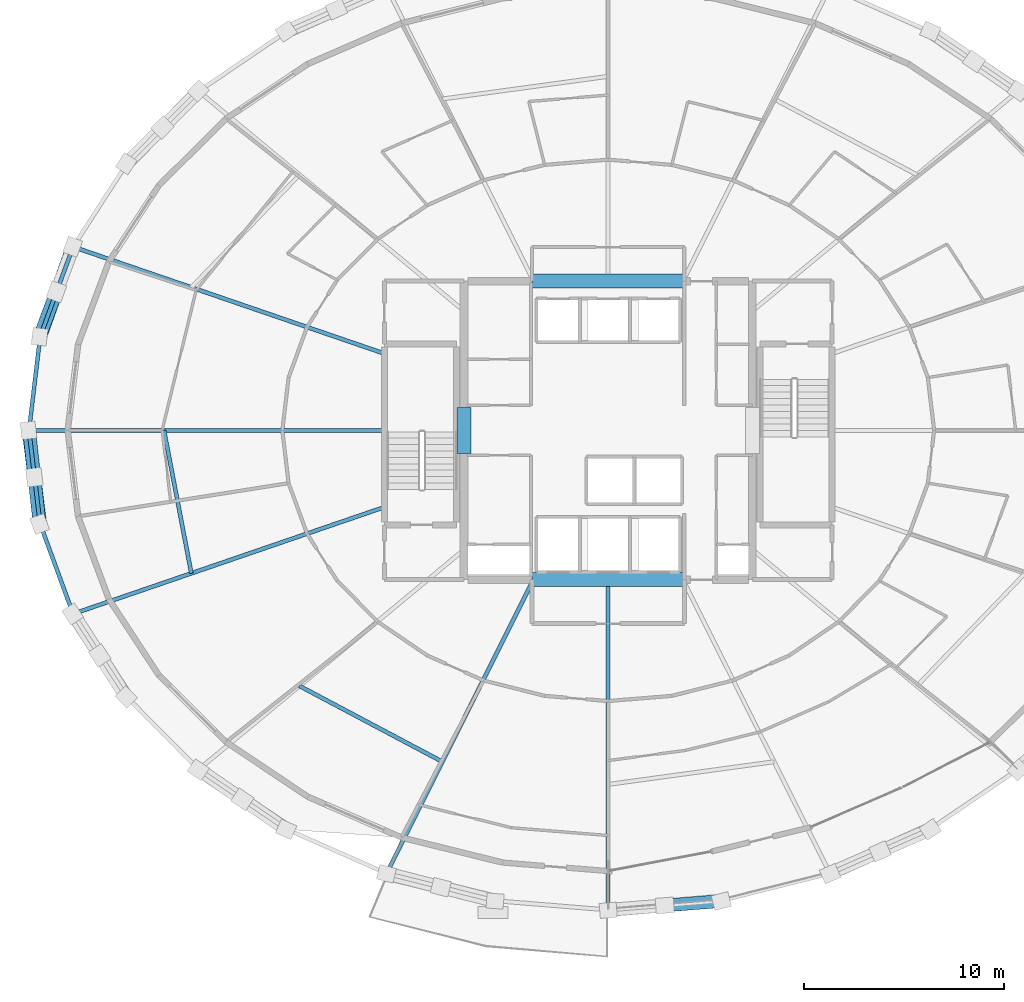
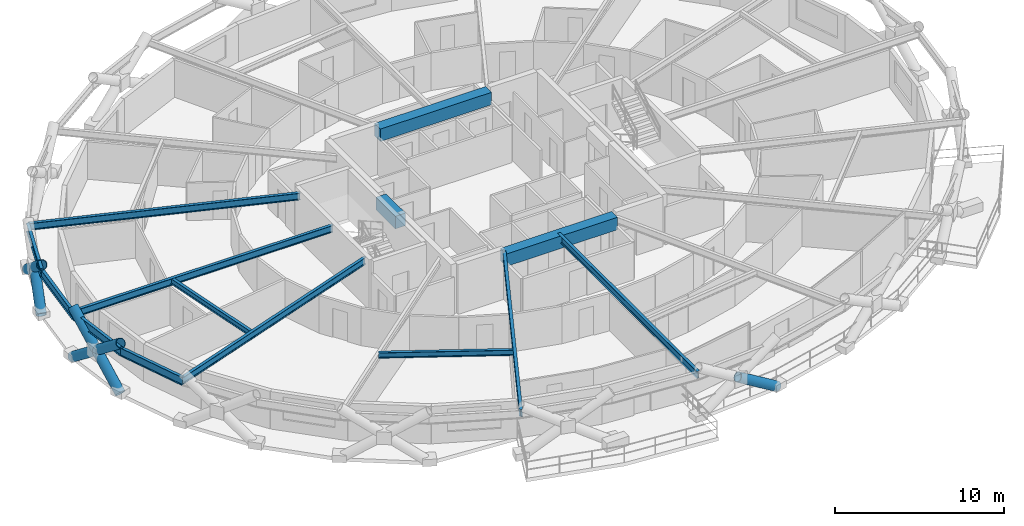
# One storey, part 3 of 14: 14 beams, 6 members.
"""IFC4 building model written with IfcOpenShell, lengths in metres."""

import ifcopenshell
import ifcopenshell.guid

model = None  # the IFC model being written
_history = None  # IfcOwnerHistory: only IFC2X3 demands one
_inside = {}  # id of a spatial element -> (the spatial element, [elements in it])
_under = {}  # id of a project, library or spatial element -> (it, [spatial elements below it])
_declared = {}  # id of a project -> (the project, [libraries it declares])
_typed = {}  # id of a type object -> (the type object, [elements of that type])
_made_of = {}  # id of a material, layer set ... -> (it, [elements and type objects made of it])


def new_model(schema):
    """Start an empty IFC model of exactly this schema.

    Asked for "IFC4X3", IfcOpenShell would pick the latest addendum, in which some entities
    have other attributes; the version numbers below select the first issue.
    IFC2X3 requires an IfcOwnerHistory on every rooted entity: one is made here for all.
    """
    global model, _history
    if schema == "IFC4X3":
        model = ifcopenshell.file(schema_version=(4, 3, 0, 0))
    else:
        model = ifcopenshell.file(schema=schema)
    _inside.clear()
    _under.clear()
    _declared.clear()
    _typed.clear()
    _made_of.clear()
    _history = None
    if model.schema == "IFC2X3":
        org = make("IfcOrganization", Name="unknown")
        user = make(
            "IfcPersonAndOrganization",
            ThePerson=make("IfcPerson", FamilyName="unknown"),
            TheOrganization=org,
        )
        app = make(
            "IfcApplication",
            ApplicationDeveloper=org,
            Version="unknown",
            ApplicationFullName="unknown",
            ApplicationIdentifier="unknown",
        )
        _history = make(
            "IfcOwnerHistory",
            OwningUser=user,
            OwningApplication=app,
            ChangeAction="ADDED",
            CreationDate=0,
        )
    return model


def make(cls, **values):
    """One entity of the class cls with the attributes given. An attribute that is None is left unset."""
    return model.create_entity(
        cls, **{name: value for name, value in values.items() if value is not None}
    )


def rooted(cls, **values):
    """An entity with a GlobalId (a new one), such as an element, a storey or a relation."""
    return make(cls, GlobalId=ifcopenshell.guid.new(), OwnerHistory=_history, **values)


def si_unit(unit_type, name, prefix=None):
    """IfcSIUnit, for example si_unit("LENGTHUNIT", "METRE", prefix="MILLI")."""
    return make("IfcSIUnit", UnitType=unit_type, Prefix=prefix, Name=name)


def assignment(units):
    """IfcUnitAssignment: the units of a project."""
    return None if units is None else make("IfcUnitAssignment", Units=units)


def point(xyz):
    """IfcCartesianPoint."""
    return None if xyz is None else make("IfcCartesianPoint", Coordinates=xyz)


def direction(xyz):
    """IfcDirection."""
    return None if xyz is None else make("IfcDirection", DirectionRatios=xyz)


def frame(location, z_axis=None, x_axis=None):
    """IfcAxis2Placement3D, a coordinate frame: its origin and axes. An axis left out is left unset."""
    return make(
        "IfcAxis2Placement3D",
        Location=point(location),
        Axis=direction(z_axis),
        RefDirection=direction(x_axis),
    )


def frame_2d(location, x_axis=None):
    """IfcAxis2Placement2D, a coordinate frame in the plane: its origin and x axis."""
    return make(
        "IfcAxis2Placement2D", Location=point(location), RefDirection=direction(x_axis)
    )


def origin():
    """The frame at (0, 0, 0) with its axes left unset."""
    return frame((0.0, 0.0, 0.0))


def origin_2d():
    """The frame at (0, 0) in the plane with its x axis left unset."""
    return frame_2d((0.0, 0.0))


def place(relative_to, where):
    """IfcLocalPlacement: puts the frame where relative to a parent placement (None: the world)."""
    return make(
        "IfcLocalPlacement", PlacementRelTo=relative_to, RelativePlacement=where
    )


def context(
    kind, dimensions, precision=None, world=None, true_north=None, identifier=None
):
    """IfcGeometricRepresentationContext, for example the 3D "Model" context."""
    return make(
        "IfcGeometricRepresentationContext",
        ContextIdentifier=identifier,
        ContextType=kind,
        CoordinateSpaceDimension=dimensions,
        Precision=precision,
        WorldCoordinateSystem=world,
        TrueNorth=true_north,
    )


def subcontext(parent, identifier, kind, view, scale=None):
    """IfcGeometricRepresentationSubContext, for example "Body" below "Model"."""
    return make(
        "IfcGeometricRepresentationSubContext",
        ContextIdentifier=identifier,
        ContextType=kind,
        ParentContext=parent,
        TargetScale=scale,
        TargetView=view,
    )


def project(units=None, contexts=None):
    """IfcProject with its units and contexts."""
    return rooted(
        "IfcProject",
        Name="project",
        RepresentationContexts=contexts,
        UnitsInContext=assignment(units),
    )


def spatial(cls, under=None, at=None, **own):
    """A site, building, storey or space (cls), placed at a placement, below another one or the project."""
    s = rooted(cls, ObjectPlacement=at, **own)
    if under is not None:
        _under.setdefault(under.id(), (under, []))[1].append(s)
    return s


def profile(cls, at=None, kind="AREA", **sizes):
    """A parametric profile (cls). Its sizes go by their IFC names, for example OverallWidth=200.0."""
    return make(cls, ProfileType=kind, Position=at, **sizes)


def rectangle(**sizes):
    """IfcRectangleProfileDef."""
    return profile("IfcRectangleProfileDef", **sizes)


def hollow_circle(**sizes):
    """IfcCircleHollowProfileDef."""
    return profile("IfcCircleHollowProfileDef", **sizes)


def i_section(**sizes):
    """IfcIShapeProfileDef."""
    return profile("IfcIShapeProfileDef", **sizes)


def extrude(swept, where, along, depth):
    """IfcExtrudedAreaSolid: the profile swept, set in the frame where, extruded along a direction by depth."""
    return make(
        "IfcExtrudedAreaSolid",
        SweptArea=swept,
        Position=where,
        ExtrudedDirection=direction(along),
        Depth=depth,
    )


def shape(context_of_items, identifier, shape_type, items):
    """IfcShapeRepresentation: the items that make up one representation, for example the "Body"."""
    return make(
        "IfcShapeRepresentation",
        ContextOfItems=context_of_items,
        RepresentationIdentifier=identifier,
        RepresentationType=shape_type,
        Items=items,
    )


def material(Name=None, Category=None):
    """IfcMaterial."""
    return make("IfcMaterial", Name=Name, Category=Category)


def material_profile(
    of_material, cross_section, Name=None, Category=None, Priority=None
):
    """IfcMaterialProfile: a cross section and its material."""
    return make(
        "IfcMaterialProfile",
        Name=Name,
        Material=of_material,
        Profile=cross_section,
        Priority=Priority,
        Category=Category,
    )


def profile_set(profiles, Name=None, composite=None):
    """IfcMaterialProfileSet."""
    return make(
        "IfcMaterialProfileSet",
        Name=Name,
        MaterialProfiles=profiles,
        CompositeProfile=composite,
    )


def made_of(thing, what):
    """Note that an element or type object is made of a material, layer set ...; save() writes the relation."""
    if what is not None:
        _made_of.setdefault(what.id(), (what, []))[1].append(thing)
    return thing


def type_object(cls, material=None, **own):
    """A type object (cls), such as IfcWallType, which elements share."""
    return made_of(rooted(cls, **own), material)


def element(
    cls,
    number,
    at=None,
    inside=None,
    cuts=None,
    type_object=None,
    material=None,
    context=None,
    identifier="Body",
    shape_type=None,
    held_by="IfcProductDefinitionShape",
    body=None,
    shapes=None,
    **own,
):
    """One element of the class cls, such as IfcWall. Its Tag is "e" and its number.

    at: its placement. inside: the storey or other place that contains it. cuts: it is an
    opening in that element (IfcRelVoidsElement). A single representation is given by context,
    identifier, shape_type and body (its items); several are given by shapes. held_by: the class
    of the entity that holds the representations. save() writes the other relations.
    """
    e = rooted(cls, Tag="e%d" % number, ObjectPlacement=at, **own)
    if body is not None:
        shapes = [shape(context, identifier, shape_type, body)]
    if shapes is not None:
        e.Representation = make(held_by, Representations=shapes)
    if inside is not None:
        _inside.setdefault(inside.id(), (inside, []))[1].append(e)
    if cuts is not None:
        rooted(
            "IfcRelVoidsElement", RelatingBuildingElement=cuts, RelatedOpeningElement=e
        )
    if type_object is not None:
        _typed.setdefault(type_object.id(), (type_object, []))[1].append(e)
    return made_of(e, material)


def aggregate(whole, parts):
    """IfcRelAggregates: a whole, such as a stair, and the parts it consists of."""
    return rooted("IfcRelAggregates", RelatingObject=whole, RelatedObjects=parts)


def save(model, path):
    """Write the relations noted so far, then the file.

    IfcRelAggregates (storeys below a building ...), IfcRelContainedInSpatialStructure (elements
    in a storey), IfcRelDefinesByType, IfcRelAssociatesMaterial and IfcRelDeclares: one each for
    every whole, place, type object, material and project.
    """
    for whole, parts in _under.values():
        aggregate(whole, parts)
    for where, things in _inside.values():
        rooted(
            "IfcRelContainedInSpatialStructure",
            RelatedElements=things,
            RelatingStructure=where,
        )
    for kind, things in _typed.values():
        rooted("IfcRelDefinesByType", RelatedObjects=things, RelatingType=kind)
    for what, things in _made_of.values():
        rooted("IfcRelAssociatesMaterial", RelatedObjects=things, RelatingMaterial=what)
    for by, libraries in _declared.values():
        rooted("IfcRelDeclares", RelatingContext=by, RelatedDefinitions=libraries)
    model.write(path)


model = new_model("IFC4")

# Units and contexts
model_context = context("Model", 3, precision=1e-05, world=origin(), true_north=direction((0.0, 1.0)))
body_context = subcontext(model_context, "Body", "Model", "MODEL_VIEW")
ifc_project = project(units=[si_unit("LENGTHUNIT", "METRE"), si_unit("AREAUNIT", "SQUARE_METRE"), si_unit("VOLUMEUNIT", "CUBIC_METRE"), si_unit("PLANEANGLEUNIT", "RADIAN"), si_unit("MASSUNIT", "GRAM", prefix="KILO")], contexts=[model_context])

# Site, building, storey
site_placement = place(None, origin())
site = spatial("IfcSite", under=ifc_project, at=site_placement, CompositionType="ELEMENT")
building_placement = place(site_placement, origin())
building = spatial("IfcBuilding", under=site, at=building_placement, Name="Veldorina Hangang Commons", CompositionType="ELEMENT")
storey_placement = place(building_placement, frame((0.0, 0.0, 88.0)))
storey = spatial("IfcBuildingStorey", under=building, at=storey_placement, Name="L22", CompositionType="ELEMENT", Elevation=88.0)

# Beams
ifc_material_1 = material(Name="Concrete C70/85", Category="concrete")
ifc_material_profile_1 = material_profile(ifc_material_1, rectangle(XDim=0.699951171875, YDim=0.89990234375, at=origin_2d()), Name="RC-CB-700x900")
ifc_profile_set_1 = profile_set([ifc_material_profile_1], Name="Concrete C70/85")
beam_type_1 = type_object("IfcBeamType", Name="BM-CB900", PredefinedType="LINTEL", material=ifc_profile_set_1)
beam_1_placement = place(storey_placement, frame((24.800048828125, 22.85009765625, 2.889892578125), z_axis=(0.0, 1.0, 0.0), x_axis=(-1.0, 0.0, 0.0)))
element("IfcBeam", 1, at=beam_1_placement, inside=storey, type_object=beam_type_1, Name="L22 W core coupling lintel beam", PredefinedType="LINTEL", context=body_context, shape_type="SweptSolid", body=[
    extrude(rectangle(XDim=0.699951171875, YDim=0.89990234375, at=origin_2d()), origin(), (0.0, 0.0, 1.0), 2.2998046875),
])
for number, where, z_axis, x_axis, name in (
    (2, (28.199951171875, 16.550048828125, 2.889892578125), (1.0, 0.0, 0.0), (0.0, 1.0, 0.0), "L22 south core coupling beam"),
    (3, (28.199951171875, 31.449951171875, 2.889892578125), (1.0, 0.0, 0.0), (0.0, 1.0, 0.0), "L22 north core coupling beam"),
):
    element("IfcBeam", number, at=place(storey_placement, frame(where, z_axis=z_axis, x_axis=x_axis)), inside=storey, type_object=beam_type_1, Name=name, PredefinedType="LINTEL", context=body_context, shape_type="SweptSolid", body=[
        extrude(rectangle(XDim=0.699951171875, YDim=0.89990234375, at=origin_2d()), origin(), (0.0, 0.0, 1.0), 7.60009765625),
    ])
ifc_material_2 = material(Name="Steel SM420-TMC", Category="steel")
ifc_material_profile_2 = material_profile(ifc_material_2, i_section(OverallWidth=0.199951171875, OverallDepth=0.5, WebThickness=0.010009765625, FlangeThickness=0.01611328125, FilletRadius=0.01611328125, at=origin_2d()), Name="H-500x200x10x16")
ifc_profile_set_2 = profile_set([ifc_material_profile_2], Name="Steel SM420-TMC")
beam_type_2 = type_object("IfcBeamType", Name="BM-FG500", PredefinedType="BEAM", material=ifc_profile_set_2)
beam_2_placement = place(storey_placement, frame((20.820068359375, 27.833984375, 3.090087890625), z_axis=(-0.945921851498, 0.32439459129, 0.0), x_axis=(-0.32439459129, -0.945921851498, 0.0)))
element("IfcBeam", 4, at=beam_2_placement, inside=storey, type_object=beam_type_2, Name="L22 radial floor girder 08", PredefinedType="BEAM", context=body_context, shape_type="SweptSolid", body=[
    extrude(i_section(OverallWidth=0.199951171875, OverallDepth=0.5, WebThickness=0.010009765625, FlangeThickness=0.01611328125, FilletRadius=0.01611328125, at=origin_2d()), origin(), (0.0, 0.0, 1.0), 16.43310546875),
])
beam_3_placement = place(storey_placement, frame((20.820068359375, 24.0, 3.090087890625), z_axis=(-1.0, 0.0, 0.0), x_axis=(0.0, -1.0, 0.0)))
element("IfcBeam", 5, at=beam_3_placement, inside=storey, type_object=beam_type_2, Name="L22 radial floor girder 09", PredefinedType="BEAM", context=body_context, shape_type="SweptSolid", body=[
    extrude(i_section(OverallWidth=0.199951171875, OverallDepth=0.5, WebThickness=0.010009765625, FlangeThickness=0.01611328125, FilletRadius=0.01611328125, at=origin_2d()), origin(), (0.0, 0.0, 1.0), 17.746337890625),
])
beam_4_placement = place(storey_placement, frame((20.820068359375, 20.166015625, 3.090087890625), z_axis=(-0.945921851498, -0.32439459129, 0.0), x_axis=(0.32439459129, -0.945921851498, 0.0)))
element("IfcBeam", 6, at=beam_4_placement, inside=storey, type_object=beam_type_2, Name="L22 radial floor girder 10", PredefinedType="BEAM", context=body_context, shape_type="SweptSolid", body=[
    extrude(i_section(OverallWidth=0.199951171875, OverallDepth=0.5, WebThickness=0.010009765625, FlangeThickness=0.01611328125, FilletRadius=0.01611328125, at=origin_2d()), origin(), (0.0, 0.0, 1.0), 16.43310546875),
])
beam_5_placement = place(storey_placement, frame((28.272705078125, 16.550048828125, 3.090087890625), z_axis=(-0.447439726176, -0.894314089926, 0.0), x_axis=(0.894314089926, -0.447439726176, 0.0)))
element("IfcBeam", 7, at=beam_5_placement, inside=storey, type_object=beam_type_2, Name="L22 radial floor girder 12", PredefinedType="BEAM", context=body_context, shape_type="SweptSolid", body=[
    extrude(i_section(OverallWidth=0.199951171875, OverallDepth=0.5, WebThickness=0.010009765625, FlangeThickness=0.01611328125, FilletRadius=0.01611328125, at=origin_2d()), origin(), (0.0, 0.0, 1.0), 16.40966796875),
])
beam_6_placement = place(storey_placement, frame((32.0, 16.550048828125, 3.090087890625), z_axis=(0.0, -1.0, 0.0), x_axis=(1.0, 0.0, 0.0)))
element("IfcBeam", 8, at=beam_6_placement, inside=storey, type_object=beam_type_2, Name="L22 radial floor girder 13", PredefinedType="BEAM", context=body_context, shape_type="SweptSolid", body=[
    extrude(i_section(OverallWidth=0.199951171875, OverallDepth=0.5, WebThickness=0.010009765625, FlangeThickness=0.01611328125, FilletRadius=0.01611328125, at=origin_2d()), origin(), (0.0, 0.0, 1.0), 16.498291015625),
])
ifc_material_3 = material(Name="Steel SM355-TMC", Category="steel")
ifc_material_profile_3 = material_profile(ifc_material_3, i_section(OverallWidth=0.199951171875, OverallDepth=0.39990234375, WebThickness=0.008056640625, FlangeThickness=0.012939453125, FilletRadius=0.012939453125, at=origin_2d()), Name="H-400x200x8x13")
ifc_profile_set_3 = profile_set([ifc_material_profile_3], Name="Steel SM355-TMC")
beam_type_3 = type_object("IfcBeamType", Name="BM-JST400", PredefinedType="JOIST", material=ifc_profile_set_3)
beam_7_placement = place(storey_placement, frame((9.8173828125, 24.0, 3.139892578125), z_axis=(0.187834422756, -0.982200707406, 0.0), x_axis=(0.982200707406, 0.187834422756, 0.0)))
element("IfcBeam", 9, at=beam_7_placement, inside=storey, type_object=beam_type_3, Name="L22 secondary floor joist 09", PredefinedType="JOIST", context=body_context, shape_type="SweptSolid", body=[
    extrude(i_section(OverallWidth=0.199951171875, OverallDepth=0.39990234375, WebThickness=0.008056640625, FlangeThickness=0.012939453125, FilletRadius=0.012939453125, at=origin_2d()), origin(), (0.0, 0.0, 1.0), 7.268310546875),
])
beam_8_placement = place(storey_placement, frame((16.58251953125, 11.235595703125, 3.139892578125), z_axis=(0.883518002063, -0.468397203269, 0.0), x_axis=(0.468397203269, 0.883518002063, 0.0)))
element("IfcBeam", 10, at=beam_8_placement, inside=storey, type_object=beam_type_3, Name="L22 secondary floor joist 11", PredefinedType="JOIST", context=body_context, shape_type="SweptSolid", body=[
    extrude(i_section(OverallWidth=0.199951171875, OverallDepth=0.39990234375, WebThickness=0.008056640625, FlangeThickness=0.012939453125, FilletRadius=0.012939453125, at=origin_2d()), origin(), (0.0, 0.0, 1.0), 8.0791015625),
])
ifc_material_profile_4 = material_profile(ifc_material_2, i_section(OverallWidth=0.199951171875, OverallDepth=0.60009765625, WebThickness=0.010986328125, FlangeThickness=0.01708984375, FilletRadius=0.01806640625, at=origin_2d()), Name="H-600x200x11x17")
ifc_profile_set_4 = profile_set([ifc_material_profile_4], Name="Steel SM420-TMC")
beam_type_4 = type_object("IfcBeamType", Name="BM-RB600", PredefinedType="BEAM", material=ifc_profile_set_4)
beam_9_placement = place(storey_placement, frame((5.275634765625, 33.164794921875, 3.0400390625), z_axis=(-0.344011755789, -0.938965341149, 0.0), x_axis=(0.938965341149, -0.344011755789, 0.0)))
element("IfcBeam", 11, at=beam_9_placement, inside=storey, type_object=beam_type_4, Name="L22 perimeter hoop ring beam 14", PredefinedType="BEAM", context=body_context, shape_type="SweptSolid", body=[
    extrude(i_section(OverallWidth=0.199951171875, OverallDepth=0.60009765625, WebThickness=0.010986328125, FlangeThickness=0.01708984375, FilletRadius=0.01806640625, at=origin_2d()), origin(), (0.0, 0.0, 1.0), 4.78466796875),
])
for number, where, z_axis, x_axis, name in (
    (12, (3.629638671875, 28.672119140625, 3.0400390625), (-0.118150762233, -0.992995668361, 0.0), (0.992995668361, -0.118150762233, 0.0), "L22 perimeter hoop ring beam 15"),
    (13, (3.07373046875, 24.0, 3.0400390625), (0.118150762233, -0.992995668361, 0.0), (0.992995668361, 0.118150762233, 0.0), "L22 perimeter hoop ring beam 16"),
):
    element("IfcBeam", number, at=place(storey_placement, frame(where, z_axis=z_axis, x_axis=x_axis)), inside=storey, type_object=beam_type_4, Name=name, PredefinedType="BEAM", context=body_context, shape_type="SweptSolid", body=[
        extrude(i_section(OverallWidth=0.199951171875, OverallDepth=0.60009765625, WebThickness=0.010986328125, FlangeThickness=0.01708984375, FilletRadius=0.01806640625, at=origin_2d()), origin(), (0.0, 0.0, 1.0), 4.705078125),
    ])
beam_10_placement = place(storey_placement, frame((3.629638671875, 19.327880859375, 3.0400390625), z_axis=(0.344011755789, -0.938965341149, 0.0), x_axis=(0.938965341149, 0.344011755789, 0.0)))
element("IfcBeam", 14, at=beam_10_placement, inside=storey, type_object=beam_type_4, Name="L22 perimeter hoop ring beam 17", PredefinedType="BEAM", context=body_context, shape_type="SweptSolid", body=[
    extrude(i_section(OverallWidth=0.199951171875, OverallDepth=0.60009765625, WebThickness=0.010986328125, FlangeThickness=0.01708984375, FilletRadius=0.01806640625, at=origin_2d()), origin(), (0.0, 0.0, 1.0), 4.78466796875),
])

# Members
ifc_material_4 = material(Name="Steel SM460-TMC", Category="steel")
ifc_material_profile_5 = material_profile(ifc_material_4, hollow_circle(Radius=0.324951171875, WallThickness=0.031982421875, at=origin_2d()), Name="CHS-650x32")
ifc_profile_set_5 = profile_set([ifc_material_profile_5], Name="Steel SM460-TMC")
member_type = type_object("IfcMemberType", Name="DG-CHS650", PredefinedType="BRACE", material=ifc_profile_set_5)
member_1_placement = place(storey_placement, frame((5.252197265625, 33.17138671875, 0.0), z_axis=(-0.27029842146, -0.751794251448, 0.601451716138), x_axis=(0.941025959664, -0.338334366032, 0.0)))
element("IfcMember", 15, at=member_1_placement, inside=storey, type_object=member_type, Name="L22 continuous perimeter diagrid brace 14", PredefinedType="BRACE", context=body_context, shape_type="SweptSolid", body=[
    extrude(hollow_circle(Radius=0.324951171875, WallThickness=0.031982421875, at=origin_2d()), origin(), (0.0, 0.0, 1.0), 5.985595703125),
])
member_2_placement = place(storey_placement, frame((3.6044921875, 28.675537109375, 0.0), z_axis=(0.279690517383, 0.748909233354, 0.600756335533), x_axis=(-0.93680144903, 0.349861465576, 0.0)))
element("IfcMember", 16, at=member_2_placement, inside=storey, type_object=member_type, Name="L22 split perimeter diagrid lower brace 15", PredefinedType="BRACE", context=body_context, shape_type="SweptSolid", body=[
    extrude(hollow_circle(Radius=0.324951171875, WallThickness=0.031982421875, at=origin_2d()), origin(), (0.0, 0.0, 1.0), 2.99755859375),
])
member_3_placement = place(storey_placement, frame((3.04833984375, 24.0, 0.0), z_axis=(0.098863888607, -0.78819235192, 0.607436208917), x_axis=(0.992225132859, 0.124455958966, 0.0)))
element("IfcMember", 17, at=member_3_placement, inside=storey, type_object=member_type, Name="L22 continuous perimeter diagrid brace 16", PredefinedType="BRACE", context=body_context, shape_type="SweptSolid", body=[
    extrude(hollow_circle(Radius=0.324951171875, WallThickness=0.031982421875, at=origin_2d()), origin(), (0.0, 0.0, 1.0), 5.9267578125),
])
member_4_placement = place(storey_placement, frame((3.6044921875, 19.324462890625, 0.0), z_axis=(-0.088813907246, 0.789191481924, 0.607691446985), x_axis=(-0.993727137686, -0.111831908803, 0.0)))
element("IfcMember", 18, at=member_4_placement, inside=storey, type_object=member_type, Name="L22 split perimeter diagrid lower brace 17", PredefinedType="BRACE", context=body_context, shape_type="SweptSolid", body=[
    extrude(hollow_circle(Radius=0.324951171875, WallThickness=0.031982421875, at=origin_2d()), origin(), (0.0, 0.0, 1.0), 2.96337890625),
])
member_5_placement = place(storey_placement, frame((3.34130859375, 21.6630859375, 1.80078125), z_axis=(-0.088717458909, 0.789222599138, 0.607665122822), x_axis=(-0.993741115811, -0.111707630653, 0.0)))
element("IfcMember", 19, at=member_5_placement, inside=storey, type_object=member_type, Name="L22 split perimeter diagrid upper brace 17", PredefinedType="BRACE", context=body_context, shape_type="SweptSolid", body=[
    extrude(hollow_circle(Radius=0.324951171875, WallThickness=0.031982421875, at=origin_2d()), origin(), (0.0, 0.0, 1.0), 2.9609375),
])
member_6_placement = place(storey_placement, frame((37.648193359375, 0.494384765625, 0.0), z_axis=(-0.841499907038, -0.065435451558, 0.536279878548), x_axis=(0.077526461487, -0.996990294722, 0.0)))
element("IfcMember", 20, at=member_6_placement, inside=storey, type_object=member_type, Name="L22 split perimeter diagrid lower brace 25", PredefinedType="BRACE", context=body_context, shape_type="SweptSolid", body=[
    extrude(hollow_circle(Radius=0.324951171875, WallThickness=0.031982421875, at=origin_2d()), origin(), (0.0, 0.0, 1.0), 3.35791015625),
])

save(model, "model.ifc")
